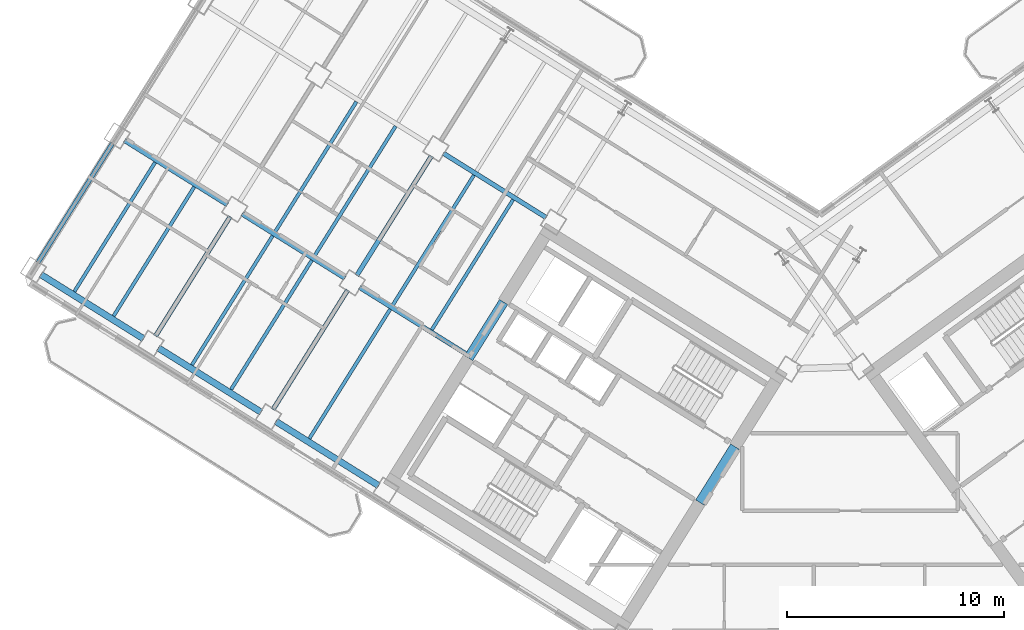
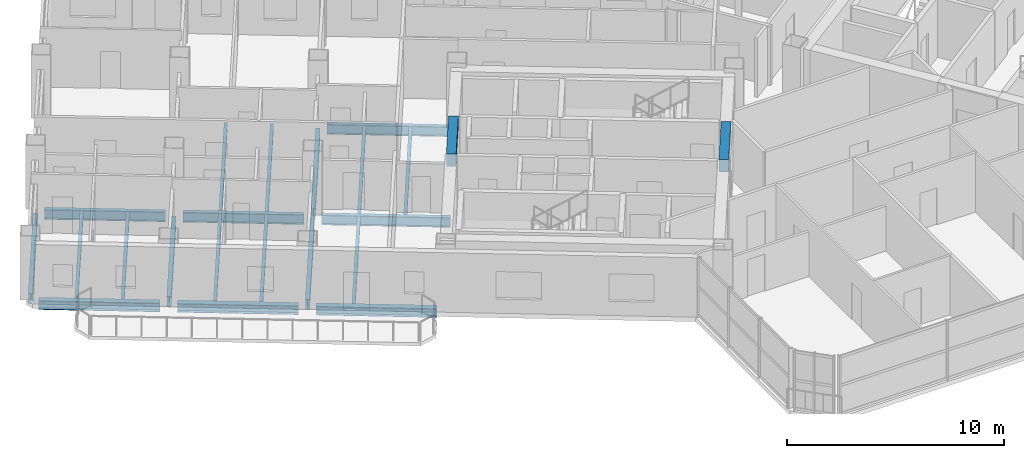
# One storey, part 5 of 21: 22 beams.
"""IFC4 building model written with IfcOpenShell, lengths in metres."""

import ifcopenshell
import ifcopenshell.guid

model = None  # the IFC model being written
_history = None  # IfcOwnerHistory: only IFC2X3 demands one
_inside = {}  # id of a spatial element -> (the spatial element, [elements in it])
_under = {}  # id of a project, library or spatial element -> (it, [spatial elements below it])
_declared = {}  # id of a project -> (the project, [libraries it declares])
_typed = {}  # id of a type object -> (the type object, [elements of that type])
_made_of = {}  # id of a material, layer set ... -> (it, [elements and type objects made of it])


def new_model(schema):
    """Start an empty IFC model of exactly this schema.

    Asked for "IFC4X3", IfcOpenShell would pick the latest addendum, in which some entities
    have other attributes; the version numbers below select the first issue.
    IFC2X3 requires an IfcOwnerHistory on every rooted entity: one is made here for all.
    """
    global model, _history
    if schema == "IFC4X3":
        model = ifcopenshell.file(schema_version=(4, 3, 0, 0))
    else:
        model = ifcopenshell.file(schema=schema)
    _inside.clear()
    _under.clear()
    _declared.clear()
    _typed.clear()
    _made_of.clear()
    _history = None
    if model.schema == "IFC2X3":
        org = make("IfcOrganization", Name="unknown")
        user = make(
            "IfcPersonAndOrganization",
            ThePerson=make("IfcPerson", FamilyName="unknown"),
            TheOrganization=org,
        )
        app = make(
            "IfcApplication",
            ApplicationDeveloper=org,
            Version="unknown",
            ApplicationFullName="unknown",
            ApplicationIdentifier="unknown",
        )
        _history = make(
            "IfcOwnerHistory",
            OwningUser=user,
            OwningApplication=app,
            ChangeAction="ADDED",
            CreationDate=0,
        )
    return model


def make(cls, **values):
    """One entity of the class cls with the attributes given. An attribute that is None is left unset."""
    return model.create_entity(
        cls, **{name: value for name, value in values.items() if value is not None}
    )


def rooted(cls, **values):
    """An entity with a GlobalId (a new one), such as an element, a storey or a relation."""
    return make(cls, GlobalId=ifcopenshell.guid.new(), OwnerHistory=_history, **values)


def si_unit(unit_type, name, prefix=None):
    """IfcSIUnit, for example si_unit("LENGTHUNIT", "METRE", prefix="MILLI")."""
    return make("IfcSIUnit", UnitType=unit_type, Prefix=prefix, Name=name)


def assignment(units):
    """IfcUnitAssignment: the units of a project."""
    return None if units is None else make("IfcUnitAssignment", Units=units)


def point(xyz):
    """IfcCartesianPoint."""
    return None if xyz is None else make("IfcCartesianPoint", Coordinates=xyz)


def direction(xyz):
    """IfcDirection."""
    return None if xyz is None else make("IfcDirection", DirectionRatios=xyz)


def frame(location, z_axis=None, x_axis=None):
    """IfcAxis2Placement3D, a coordinate frame: its origin and axes. An axis left out is left unset."""
    return make(
        "IfcAxis2Placement3D",
        Location=point(location),
        Axis=direction(z_axis),
        RefDirection=direction(x_axis),
    )


def frame_2d(location, x_axis=None):
    """IfcAxis2Placement2D, a coordinate frame in the plane: its origin and x axis."""
    return make(
        "IfcAxis2Placement2D", Location=point(location), RefDirection=direction(x_axis)
    )


def origin():
    """The frame at (0, 0, 0) with its axes left unset."""
    return frame((0.0, 0.0, 0.0))


def origin_2d():
    """The frame at (0, 0) in the plane with its x axis left unset."""
    return frame_2d((0.0, 0.0))


def place(relative_to, where):
    """IfcLocalPlacement: puts the frame where relative to a parent placement (None: the world)."""
    return make(
        "IfcLocalPlacement", PlacementRelTo=relative_to, RelativePlacement=where
    )


def context(
    kind, dimensions, precision=None, world=None, true_north=None, identifier=None
):
    """IfcGeometricRepresentationContext, for example the 3D "Model" context."""
    return make(
        "IfcGeometricRepresentationContext",
        ContextIdentifier=identifier,
        ContextType=kind,
        CoordinateSpaceDimension=dimensions,
        Precision=precision,
        WorldCoordinateSystem=world,
        TrueNorth=true_north,
    )


def subcontext(parent, identifier, kind, view, scale=None):
    """IfcGeometricRepresentationSubContext, for example "Body" below "Model"."""
    return make(
        "IfcGeometricRepresentationSubContext",
        ContextIdentifier=identifier,
        ContextType=kind,
        ParentContext=parent,
        TargetScale=scale,
        TargetView=view,
    )


def project(units=None, contexts=None):
    """IfcProject with its units and contexts."""
    return rooted(
        "IfcProject",
        Name="project",
        RepresentationContexts=contexts,
        UnitsInContext=assignment(units),
    )


def spatial(cls, under=None, at=None, **own):
    """A site, building, storey or space (cls), placed at a placement, below another one or the project."""
    s = rooted(cls, ObjectPlacement=at, **own)
    if under is not None:
        _under.setdefault(under.id(), (under, []))[1].append(s)
    return s


def profile(cls, at=None, kind="AREA", **sizes):
    """A parametric profile (cls). Its sizes go by their IFC names, for example OverallWidth=200.0."""
    return make(cls, ProfileType=kind, Position=at, **sizes)


def rectangle(**sizes):
    """IfcRectangleProfileDef."""
    return profile("IfcRectangleProfileDef", **sizes)


def i_section(**sizes):
    """IfcIShapeProfileDef."""
    return profile("IfcIShapeProfileDef", **sizes)


def extrude(swept, where, along, depth):
    """IfcExtrudedAreaSolid: the profile swept, set in the frame where, extruded along a direction by depth."""
    return make(
        "IfcExtrudedAreaSolid",
        SweptArea=swept,
        Position=where,
        ExtrudedDirection=direction(along),
        Depth=depth,
    )


def shape(context_of_items, identifier, shape_type, items):
    """IfcShapeRepresentation: the items that make up one representation, for example the "Body"."""
    return make(
        "IfcShapeRepresentation",
        ContextOfItems=context_of_items,
        RepresentationIdentifier=identifier,
        RepresentationType=shape_type,
        Items=items,
    )


def source(mapping_origin, context_of_items, identifier, shape_type, items):
    """IfcRepresentationMap: a shape defined once, which mapped items show again and again."""
    return make(
        "IfcRepresentationMap",
        MappingOrigin=mapping_origin,
        MappedRepresentation=shape(context_of_items, identifier, shape_type, items),
    )


def transform(
    local_origin,
    x_axis=None,
    y_axis=None,
    z_axis=None,
    scale=None,
    scale2=None,
    scale3=None,
    uniform=True,
):
    """IfcCartesianTransformationOperator3D, or its non-uniform kind. x_axis, y_axis, z_axis: its Axis1, 2, 3."""
    if uniform:
        return make(
            "IfcCartesianTransformationOperator3D",
            Axis1=direction(x_axis),
            Axis2=direction(y_axis),
            LocalOrigin=point(local_origin),
            Scale=scale,
            Axis3=direction(z_axis),
        )
    return make(
        "IfcCartesianTransformationOperator3DnonUniform",
        Axis1=direction(x_axis),
        Axis2=direction(y_axis),
        LocalOrigin=point(local_origin),
        Scale=scale,
        Axis3=direction(z_axis),
        Scale2=scale2,
        Scale3=scale3,
    )


def mapped(mapping_source, mapping_target):
    """IfcMappedItem: shows the shape of a source again, moved by a transform."""
    return make(
        "IfcMappedItem", MappingSource=mapping_source, MappingTarget=mapping_target
    )


def material(Name=None, Category=None):
    """IfcMaterial."""
    return make("IfcMaterial", Name=Name, Category=Category)


def material_profile(
    of_material, cross_section, Name=None, Category=None, Priority=None
):
    """IfcMaterialProfile: a cross section and its material."""
    return make(
        "IfcMaterialProfile",
        Name=Name,
        Material=of_material,
        Profile=cross_section,
        Priority=Priority,
        Category=Category,
    )


def profile_set(profiles, Name=None, composite=None):
    """IfcMaterialProfileSet."""
    return make(
        "IfcMaterialProfileSet",
        Name=Name,
        MaterialProfiles=profiles,
        CompositeProfile=composite,
    )


def made_of(thing, what):
    """Note that an element or type object is made of a material, layer set ...; save() writes the relation."""
    if what is not None:
        _made_of.setdefault(what.id(), (what, []))[1].append(thing)
    return thing


def type_object(cls, material=None, **own):
    """A type object (cls), such as IfcWallType, which elements share."""
    return made_of(rooted(cls, **own), material)


def element(
    cls,
    number,
    at=None,
    inside=None,
    cuts=None,
    type_object=None,
    material=None,
    context=None,
    identifier="Body",
    shape_type=None,
    held_by="IfcProductDefinitionShape",
    body=None,
    shapes=None,
    **own,
):
    """One element of the class cls, such as IfcWall. Its Tag is "e" and its number.

    at: its placement. inside: the storey or other place that contains it. cuts: it is an
    opening in that element (IfcRelVoidsElement). A single representation is given by context,
    identifier, shape_type and body (its items); several are given by shapes. held_by: the class
    of the entity that holds the representations. save() writes the other relations.
    """
    e = rooted(cls, Tag="e%d" % number, ObjectPlacement=at, **own)
    if body is not None:
        shapes = [shape(context, identifier, shape_type, body)]
    if shapes is not None:
        e.Representation = make(held_by, Representations=shapes)
    if inside is not None:
        _inside.setdefault(inside.id(), (inside, []))[1].append(e)
    if cuts is not None:
        rooted(
            "IfcRelVoidsElement", RelatingBuildingElement=cuts, RelatedOpeningElement=e
        )
    if type_object is not None:
        _typed.setdefault(type_object.id(), (type_object, []))[1].append(e)
    return made_of(e, material)


def aggregate(whole, parts):
    """IfcRelAggregates: a whole, such as a stair, and the parts it consists of."""
    return rooted("IfcRelAggregates", RelatingObject=whole, RelatedObjects=parts)


def save(model, path):
    """Write the relations noted so far, then the file.

    IfcRelAggregates (storeys below a building ...), IfcRelContainedInSpatialStructure (elements
    in a storey), IfcRelDefinesByType, IfcRelAssociatesMaterial and IfcRelDeclares: one each for
    every whole, place, type object, material and project.
    """
    for whole, parts in _under.values():
        aggregate(whole, parts)
    for where, things in _inside.values():
        rooted(
            "IfcRelContainedInSpatialStructure",
            RelatedElements=things,
            RelatingStructure=where,
        )
    for kind, things in _typed.values():
        rooted("IfcRelDefinesByType", RelatedObjects=things, RelatingType=kind)
    for what, things in _made_of.values():
        rooted("IfcRelAssociatesMaterial", RelatedObjects=things, RelatingMaterial=what)
    for by, libraries in _declared.values():
        rooted("IfcRelDeclares", RelatingContext=by, RelatedDefinitions=libraries)
    model.write(path)


model = new_model("IFC4")

# Units and contexts
model_context = context("Model", 3, precision=1e-05, world=origin(), true_north=direction((0.0, 1.0)))
body_context = subcontext(model_context, "Body", "Model", "MODEL_VIEW")
ifc_project = project(units=[si_unit("LENGTHUNIT", "METRE"), si_unit("AREAUNIT", "SQUARE_METRE"), si_unit("VOLUMEUNIT", "CUBIC_METRE"), si_unit("PLANEANGLEUNIT", "RADIAN"), si_unit("MASSUNIT", "GRAM", prefix="KILO")], contexts=[model_context])

# Site, building, storey
site_placement = place(None, origin())
site = spatial("IfcSite", under=ifc_project, at=site_placement, CompositionType="ELEMENT")
building_placement = place(site_placement, origin())
building = spatial("IfcBuilding", under=site, at=building_placement, Name="Tlacorven Tower", CompositionType="ELEMENT")
storey_placement = place(building_placement, frame((0.0, 0.0, 112.5)))
storey = spatial("IfcBuildingStorey", under=building, at=storey_placement, Name="L28", CompositionType="ELEMENT", Elevation=112.5)

# Beams
ifc_material_1 = material(Name="Concrete C60/75", Category="concrete")
ifc_material_profile_1 = material_profile(ifc_material_1, rectangle(XDim=0.449951171875, YDim=0.699951171875, at=origin_2d()), Name="RC 450X700")
ifc_profile_set_1 = profile_set([ifc_material_profile_1], Name="Concrete C60/75")
beam_type_1 = type_object("IfcBeamType", Name="BM-LNT-700", PredefinedType="LINTEL", material=ifc_profile_set_1)
shared_shape_1 = source(origin(), body_context, "Body", "SweptSolid", [
    extrude(rectangle(XDim=0.449951171875, YDim=0.699951171875, at=origin_2d()), origin(), (0.0, 0.0, 1.0), 3.050048828125),
])
beam_1_placement = place(storey_placement, frame((38.2998046875, 20.890625, 3.0), z_axis=(-0.529984549635, -0.848007297815, 0.0), x_axis=(0.848007297815, -0.529984549635, 0.0)))
element("IfcBeam", 1, at=beam_1_placement, inside=storey, type_object=beam_type_1, Name="L28 W core coupling lintel beam E1", PredefinedType="LINTEL", context=body_context, shape_type="MappedRepresentation", body=[
    mapped(shared_shape_1, transform((0.0, 0.0, 0.0), scale=1.0)),
])
shared_shape_2 = source(origin(), body_context, "Body", "SweptSolid", [
    extrude(rectangle(XDim=0.449951171875, YDim=0.699951171875, at=origin_2d()), origin(), (0.0, 0.0, 1.0), 3.0498046875),
])
beam_2_placement = place(storey_placement, frame((27.622802734375, 27.562255859375, 3.0), z_axis=(-0.529926983584, -0.848043272522, 0.0), x_axis=(0.848043272522, -0.529926983584, 0.0)))
element("IfcBeam", 2, at=beam_2_placement, inside=storey, type_object=beam_type_1, Name="L28 W core coupling lintel beam E2", PredefinedType="LINTEL", context=body_context, shape_type="MappedRepresentation", body=[
    mapped(shared_shape_2, transform((0.0, 0.0, 0.0), scale=1.0)),
])
ifc_material_2 = material(Name="Steel S355J2", Category="steel")
ifc_material_profile_2 = material_profile(ifc_material_2, i_section(OverallWidth=0.2099609375, OverallDepth=0.550048828125, WebThickness=0.010986328125, FlangeThickness=0.01708984375, at=origin_2d()), Name="IPE 550")
ifc_profile_set_2 = profile_set([ifc_material_profile_2], Name="Steel S355J2")
beam_type_2 = type_object("IfcBeamType", Name="BM-TWR-550", PredefinedType="BEAM", material=ifc_profile_set_2)
shared_shape_3 = source(origin(), body_context, "Body", "SweptSolid", [
    extrude(i_section(OverallWidth=0.2099609375, OverallDepth=0.550048828125, WebThickness=0.010986328125, FlangeThickness=0.01708984375, at=origin_2d()), origin(), (0.0, 0.0, 1.0), 5.599853515625),
])
for number, where, z_axis, x_axis, name in (
    (3, (29.588623046875, 31.46337890625, -0.52490234375), (-0.848047285686, 0.529920561254, 0.0), (-0.529920561254, -0.848047285686, 0.0), "L28 beam BM-L28-WL2-3"),
    (4, (20.292724609375, 28.6640625, -0.52490234375), (-0.848047285686, 0.529920561254, 0.0), (-0.529920561254, -0.848047285686, 0.0), "L28 beam BM-L28-WL3-4"),
):
    element("IfcBeam", number, at=place(storey_placement, frame(where, z_axis=z_axis, x_axis=x_axis)), inside=storey, type_object=beam_type_2, Name=name, PredefinedType="BEAM", context=body_context, shape_type="MappedRepresentation", body=[
        mapped(shared_shape_3, transform((0.0, 0.0, 0.0), scale=1.0)),
    ])
shared_shape_4 = source(origin(), body_context, "Body", "SweptSolid", [
    extrude(i_section(OverallWidth=0.2099609375, OverallDepth=0.550048828125, WebThickness=0.010986328125, FlangeThickness=0.01708984375, at=origin_2d()), origin(), (0.0, 0.0, 1.0), 5.960205078125),
])
beam_3_placement = place(storey_placement, frame((26.025634765625, 25.081787109375, -0.52490234375), z_axis=(-0.848042024898, 0.529928980153, 0.0), x_axis=(-0.529928980153, -0.848042024898, 0.0)))
element("IfcBeam", 5, at=beam_3_placement, inside=storey, type_object=beam_type_2, Name="L28 beam BM-L28-WL3-3", PredefinedType="BEAM", context=body_context, shape_type="MappedRepresentation", body=[
    mapped(shared_shape_4, transform((0.0, 0.0, 0.0), scale=1.0)),
])
shared_shape_5 = source(origin(), body_context, "Body", "SweptSolid", [
    extrude(i_section(OverallWidth=0.2099609375, OverallDepth=0.550048828125, WebThickness=0.010986328125, FlangeThickness=0.01708984375, at=origin_2d()), origin(), (0.0, 0.0, 1.0), 5.60009765625),
])
beam_4_placement = place(storey_placement, frame((14.865234375, 32.055419921875, -0.52490234375), z_axis=(-0.848027693204, 0.529951914384, 0.0), x_axis=(-0.529951914384, -0.848027693204, 0.0)))
element("IfcBeam", 6, at=beam_4_placement, inside=storey, type_object=beam_type_2, Name="L28 beam BM-L28-WL3-5", PredefinedType="BEAM", context=body_context, shape_type="MappedRepresentation", body=[
    mapped(shared_shape_5, transform((0.0, 0.0, 0.0), scale=1.0)),
])
ifc_material_profile_3 = material_profile(ifc_material_2, i_section(OverallWidth=0.300048828125, OverallDepth=0.489990234375, WebThickness=0.011962890625, FlangeThickness=0.02294921875, at=origin_2d()), Name="HEA 500")
ifc_profile_set_3 = profile_set([ifc_material_profile_3], Name="Steel S355J2")
beam_type_3 = type_object("IfcBeamType", Name="BM-SPN-500", PredefinedType="SPANDREL", material=ifc_profile_set_3)
shared_shape_6 = source(origin(), body_context, "Body", "SweptSolid", [
    extrude(i_section(OverallWidth=0.300048828125, OverallDepth=0.489990234375, WebThickness=0.011962890625, FlangeThickness=0.02294921875, at=origin_2d()), origin(), (0.0, 0.0, 1.0), 5.599853515625),
])
for number, where, z_axis, x_axis, name in (
    (7, (21.851806640625, 19.081787109375, -0.4951171875), (-0.848047285686, 0.529920561254, 0.0), (-0.529920561254, -0.848047285686, 0.0), "L28 beam BM-L28-WL4-3"),
    (8, (16.42431640625, 22.473388671875, -0.4951171875), (-0.848047285686, 0.529920561254, 0.0), (-0.529920561254, -0.848047285686, 0.0), "L28 beam BM-L28-WL4-4"),
    (9, (10.996826171875, 25.86474609375, -0.4951171875), (-0.848047285686, 0.529920561254, 0.0), (-0.529920561254, -0.848047285686, 0.0), "L28 beam BM-L28-WL4-5"),
):
    element("IfcBeam", number, at=place(storey_placement, frame(where, z_axis=z_axis, x_axis=x_axis)), inside=storey, type_object=beam_type_3, Name=name, PredefinedType="SPANDREL", context=body_context, shape_type="MappedRepresentation", body=[
        mapped(shared_shape_6, transform((0.0, 0.0, 0.0), scale=1.0)),
    ])
shared_shape_7 = source(origin(), body_context, "Body", "SweptSolid", [
    extrude(i_section(OverallWidth=0.2099609375, OverallDepth=0.550048828125, WebThickness=0.010986328125, FlangeThickness=0.01708984375, at=origin_2d()), origin(), (0.0, 0.0, 1.0), 6.500244140625),
])
beam_5_placement = place(storey_placement, frame((24.28857421875, 34.3037109375, -0.52490234375), z_axis=(-0.529921287515, -0.848046831866, 0.0), x_axis=(0.848046831866, -0.529921287515, 0.0)))
element("IfcBeam", 10, at=beam_5_placement, inside=storey, type_object=beam_type_2, Name="L28 beam BM-L28-WT4-2", PredefinedType="BEAM", context=body_context, shape_type="MappedRepresentation", body=[
    mapped(shared_shape_7, transform((0.0, 0.0, 0.0), scale=1.0)),
])
shared_shape_8 = source(origin(), body_context, "Body", "SweptSolid", [
    extrude(i_section(OverallWidth=0.2099609375, OverallDepth=0.550048828125, WebThickness=0.010986328125, FlangeThickness=0.01708984375, at=origin_2d()), origin(), (0.0, 0.0, 1.0), 6.5),
])
for number, where, z_axis, x_axis, name in (
    (11, (20.420166015625, 28.11279296875, -0.52490234375), (-0.529938166933, -0.848036284146, 0.0), (0.848036284146, -0.529938166933, 0.0), "L28 beam BM-L28-WT4-3"),
    (12, (14.992431640625, 31.50439453125, -0.52490234375), (-0.529894274829, -0.848063710757, 0.0), (0.848063710757, -0.529894274829, 0.0), "L28 beam BM-L28-WT5-3"),
):
    element("IfcBeam", number, at=place(storey_placement, frame(where, z_axis=z_axis, x_axis=x_axis)), inside=storey, type_object=beam_type_2, Name=name, PredefinedType="BEAM", context=body_context, shape_type="MappedRepresentation", body=[
        mapped(shared_shape_8, transform((0.0, 0.0, 0.0), scale=1.0)),
    ])
shared_shape_9 = source(origin(), body_context, "Body", "SweptSolid", [
    extrude(i_section(OverallWidth=0.2099609375, OverallDepth=0.550048828125, WebThickness=0.010986328125, FlangeThickness=0.01708984375, at=origin_2d()), origin(), (0.0, 0.0, 1.0), 6.499755859375),
])
beam_6_placement = place(storey_placement, frame((9.56494140625, 34.895751953125, -0.52490234375), z_axis=(-0.529911154058, -0.848053163902, 0.0), x_axis=(0.848053163902, -0.529911154058, 0.0)))
element("IfcBeam", 13, at=beam_6_placement, inside=storey, type_object=beam_type_2, Name="L28 beam BM-L28-WT6-3", PredefinedType="BEAM", context=body_context, shape_type="MappedRepresentation", body=[
    mapped(shared_shape_9, transform((0.0, 0.0, 0.0), scale=1.0)),
])
ifc_material_profile_4 = material_profile(ifc_material_2, i_section(OverallWidth=0.159912109375, OverallDepth=0.330078125, WebThickness=0.007568359375, FlangeThickness=0.011474609375, at=origin_2d()), Name="IPE 330")
ifc_profile_set_4 = profile_set([ifc_material_profile_4], Name="Steel S355J2")
beam_type_4 = type_object("IfcBeamType", Name="BM-JST-330", PredefinedType="JOIST", material=ifc_profile_set_4)
shared_shape_10 = source(origin(), body_context, "Body", "SweptSolid", [
    extrude(i_section(OverallWidth=0.159912109375, OverallDepth=0.330078125, WebThickness=0.007568359375, FlangeThickness=0.011474609375, at=origin_2d()), origin(), (0.0, 0.0, 1.0), 7.080078125),
])
for number, where, z_axis, x_axis, name in (
    (14, (28.060546875, 32.28857421875, -0.4150390625), (-0.529933847046, -0.848038983629, 0.0), (0.848038983629, -0.529933847046, 0.0), "L28 beam BM-L28-WJ3-2-1"),
    (15, (26.251220703125, 33.419189453125, -0.4150390625), (-0.529893550998, -0.848064163027, 0.0), (0.848064163027, -0.529893550998, 0.0), "L28 beam BM-L28-WJ3-2-2"),
    (16, (22.633056640625, 35.679931640625, -0.4150390625), (-0.529933847046, -0.848038983629, 0.0), (0.848038983629, -0.529933847046, 0.0), "L28 beam BM-L28-WJ4-2-1"),
):
    element("IfcBeam", number, at=place(storey_placement, frame(where, z_axis=z_axis, x_axis=x_axis)), inside=storey, type_object=beam_type_4, Name=name, PredefinedType="JOIST", context=body_context, shape_type="MappedRepresentation", body=[
        mapped(shared_shape_10, transform((0.0, 0.0, 0.0), scale=1.0)),
    ])
shared_shape_11 = source(origin(), body_context, "Body", "SweptSolid", [
    extrude(i_section(OverallWidth=0.159912109375, OverallDepth=0.330078125, WebThickness=0.007568359375, FlangeThickness=0.011474609375, at=origin_2d()), origin(), (0.0, 0.0, 1.0), 7.03515625),
])
for number, where, z_axis, x_axis, name in (
    (17, (22.3828125, 27.228271484375, -0.4150390625), (-0.529920952588, -0.848047041153, 0.0), (0.848047041153, -0.529920952588, 0.0), "L28 beam BM-L28-WJ3-3-2"),
    (18, (18.7646484375, 29.4892578125, -0.4150390625), (-0.529920952588, -0.848047041153, 0.0), (0.848047041153, -0.529920952588, 0.0), "L28 beam BM-L28-WJ4-3-1"),
    (19, (16.955322265625, 30.619873046875, -0.4150390625), (-0.529920952588, -0.848047041153, 0.0), (0.848047041153, -0.529920952588, 0.0), "L28 beam BM-L28-WJ4-3-2"),
    (20, (13.337158203125, 32.880859375, -0.4150390625), (-0.529920952588, -0.848047041153, 0.0), (0.848047041153, -0.529920952588, 0.0), "L28 beam BM-L28-WJ5-3-1"),
    (21, (11.52783203125, 34.01123046875, -0.4150390625), (-0.529920952588, -0.848047041153, 0.0), (0.848047041153, -0.529920952588, 0.0), "L28 beam BM-L28-WJ5-3-2"),
):
    element("IfcBeam", number, at=place(storey_placement, frame(where, z_axis=z_axis, x_axis=x_axis)), inside=storey, type_object=beam_type_4, Name=name, PredefinedType="JOIST", context=body_context, shape_type="MappedRepresentation", body=[
        mapped(shared_shape_11, transform((0.0, 0.0, 0.0), scale=1.0)),
    ])
shared_shape_12 = source(origin(), body_context, "Body", "SweptSolid", [
    extrude(i_section(OverallWidth=0.159912109375, OverallDepth=0.330078125, WebThickness=0.007568359375, FlangeThickness=0.011474609375, at=origin_2d()), origin(), (0.0, 0.0, 1.0), 7.079833984375),
])
beam_7_placement = place(storey_placement, frame((20.82373046875, 36.810546875, -0.4150390625), z_axis=(-0.529909047265, -0.848054480341, 0.0), x_axis=(0.848054480341, -0.529909047265, 0.0)))
element("IfcBeam", 22, at=beam_7_placement, inside=storey, type_object=beam_type_4, Name="L28 beam BM-L28-WJ4-2-2", PredefinedType="JOIST", context=body_context, shape_type="MappedRepresentation", body=[
    mapped(shared_shape_12, transform((0.0, 0.0, 0.0), scale=1.0)),
])

save(model, "model.ifc")
